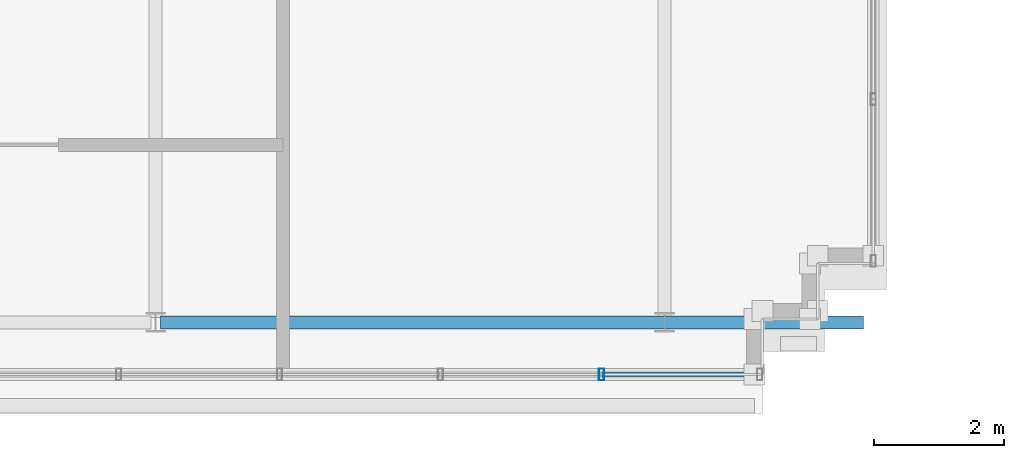
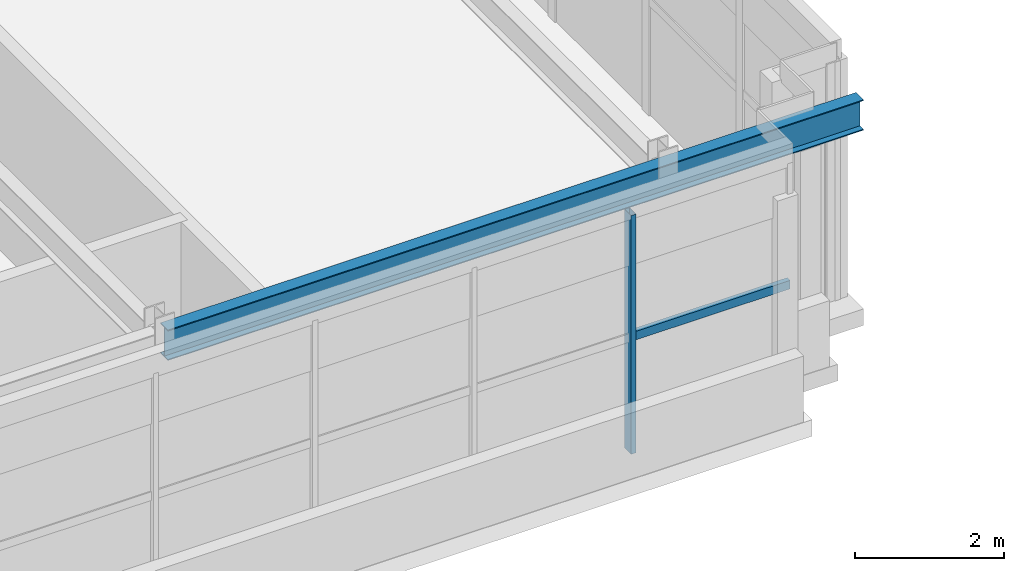
# One storey, part 4 of 25: 2 members, 1 beam, 1 element without a shape of its own.
"""IFC4 building model written with IfcOpenShell, lengths in metres."""

from ifc_helpers import new_model, si_unit, direction, frame, origin, origin_2d, place, context, subcontext, project, spatial, hollow_rectangle, i_section, extrude, source, transform, mapped, material, material_profile, profile_set, type_object, element, aggregate, save


model = new_model("IFC4")

# Units and contexts
model_context = context("Model", 3, precision=1e-05, world=origin(), true_north=direction((0.0, 1.0)))
body_context = subcontext(model_context, "Body", "Model", "MODEL_VIEW")
ifc_project = project(units=[si_unit("LENGTHUNIT", "METRE"), si_unit("AREAUNIT", "SQUARE_METRE"), si_unit("VOLUMEUNIT", "CUBIC_METRE"), si_unit("PLANEANGLEUNIT", "RADIAN"), si_unit("MASSUNIT", "GRAM", prefix="KILO")], contexts=[model_context])

# Site, building, storey
site_placement = place(None, origin())
site = spatial("IfcSite", under=ifc_project, at=site_placement, CompositionType="ELEMENT")
building_placement = place(site_placement, origin())
building = spatial("IfcBuilding", under=site, at=building_placement, Name="Trelvane Seafront Commons", CompositionType="ELEMENT")
storey_placement = place(building_placement, frame((0.0, 0.0, 316.699951171875)))
storey = spatial("IfcBuildingStorey", under=building, at=storey_placement, Name="L82", CompositionType="ELEMENT", Elevation=316.699951171875)

# Beam
ifc_material_1 = material(Name="Steel SM355 (S355)", Category="steel")
ifc_material_profile_1 = material_profile(ifc_material_1, i_section(OverallWidth=0.199951171875, OverallDepth=0.5, WebThickness=0.010009765625, FlangeThickness=0.01611328125, at=origin_2d()), Name="H-500x200x10x16")
ifc_profile_set_1 = profile_set([ifc_material_profile_1], Name="Steel SM355 (S355)")
beam_type = type_object("IfcBeamType", Name="STR-CROWN-FRAME-RING", PredefinedType="SPANDREL", material=ifc_profile_set_1)
shared_shape_1 = source(origin(), body_context, "Body", "SweptSolid", [
    extrude(i_section(OverallWidth=0.199951171875, OverallDepth=0.5, WebThickness=0.010009765625, FlangeThickness=0.01611328125, at=origin_2d()), origin(), (0.0, 0.0, 1.0), 10.77490234375),
])
beam_placement = place(storey_placement, frame((15.675048828125, 18.199951171875, 3.66015625), z_axis=(1.0, 0.0, 0.0), x_axis=(0.0, 1.0, 0.0)))
element("IfcBeam", 1, at=beam_placement, inside=storey, type_object=beam_type, Name="L82 CROWN FRAME Ring Beam G-02", PredefinedType="SPANDREL", context=body_context, shape_type="MappedRepresentation", body=[
    mapped(shared_shape_1, transform((0.0, 0.0, 0.0), x_axis=(1.0, 0.0, 0.0), y_axis=(0.0, 1.0, 0.0), z_axis=(0.0, 0.0, 1.0), scale=1.0)),
])

# Curtain wall, members
ifc_material_2 = material(Name="Anodised pale-silver aluminium", Category="aluminium")
curtain_wall_type = type_object("IfcCurtainWallType", Name="ARCH-CW6-CROWN", PredefinedType="NOTDEFINED", material=ifc_material_2)
curtain_wall_placement = place(storey_placement, origin())
curtain_wall = element("IfcCurtainWall", 2, at=curtain_wall_placement, inside=storey, type_object=curtain_wall_type, Name="CW-L82-0155", PredefinedType="NOTDEFINED")
ifc_material_profile_2 = material_profile(ifc_material_2, hollow_rectangle(XDim=0.080078125, YDim=0.179931640625, WallThickness=0.00439453125, at=origin_2d()), Name="MULL-80x180x4.5")
ifc_profile_set_2 = profile_set([ifc_material_profile_2], Name="Anodised pale-silver aluminium")
member_type_1 = type_object("IfcMemberType", Name="ARCH-CW-MULL-180", PredefinedType="MULLION", material=ifc_profile_set_2)
shared_shape_2 = source(origin(), body_context, "Body", "SweptSolid", [
    extrude(hollow_rectangle(XDim=0.080078125, YDim=0.179931640625, WallThickness=0.00439453125, at=origin_2d()), origin(), (0.0, 0.0, 1.0), 3.91015625),
])
member_1_placement = place(storey_placement, frame((22.433349609375, 17.39990234375, 0.0), z_axis=(0.0, 0.0, 1.0), x_axis=(1.0, 0.0, 0.0)))
member_1 = element("IfcMember", 3, at=member_1_placement, type_object=member_type_1, Name="CW-L82-0155-M01", PredefinedType="MULLION", context=body_context, shape_type="MappedRepresentation", body=[
    mapped(shared_shape_2, transform((0.0, 0.0, 0.0), x_axis=(1.0, 0.0, 0.0), y_axis=(0.0, 1.0, 0.0), z_axis=(0.0, 0.0, 1.0), scale=1.0)),
])
ifc_material_profile_3 = material_profile(ifc_material_2, hollow_rectangle(XDim=0.074951171875, YDim=0.139892578125, WallThickness=0.00390625, at=origin_2d()), Name="TRAN-75x140x4")
ifc_profile_set_3 = profile_set([ifc_material_profile_3], Name="Anodised pale-silver aluminium")
member_type_2 = type_object("IfcMemberType", Name="ARCH-CW-TRAN-140", PredefinedType="USERDEFINED", material=ifc_profile_set_3)
shared_shape_3 = source(origin(), body_context, "Body", "SweptSolid", [
    extrude(hollow_rectangle(XDim=0.074951171875, YDim=0.139892578125, WallThickness=0.00390625, at=origin_2d()), origin(), (0.0, 0.0, 1.0), 2.442626953125),
])
member_2_placement = place(storey_placement, frame((24.887939453125, 17.39990234375, 1.876953125), z_axis=(-1.0, 0.0, 0.0), x_axis=(0.0, -1.0, 0.0)))
member_2 = element("IfcMember", 4, at=member_2_placement, type_object=member_type_2, Name="CW-L82-0155-T00", ObjectType="TRANSOM", PredefinedType="USERDEFINED", context=body_context, shape_type="MappedRepresentation", body=[
    mapped(shared_shape_3, transform((0.0, 0.0, 0.0), x_axis=(1.0, 0.0, 0.0), y_axis=(0.0, 1.0, 0.0), z_axis=(0.0, 0.0, 1.0), scale=1.0)),
])
aggregate(curtain_wall, [member_1, member_2])

save(model, "model.ifc")
